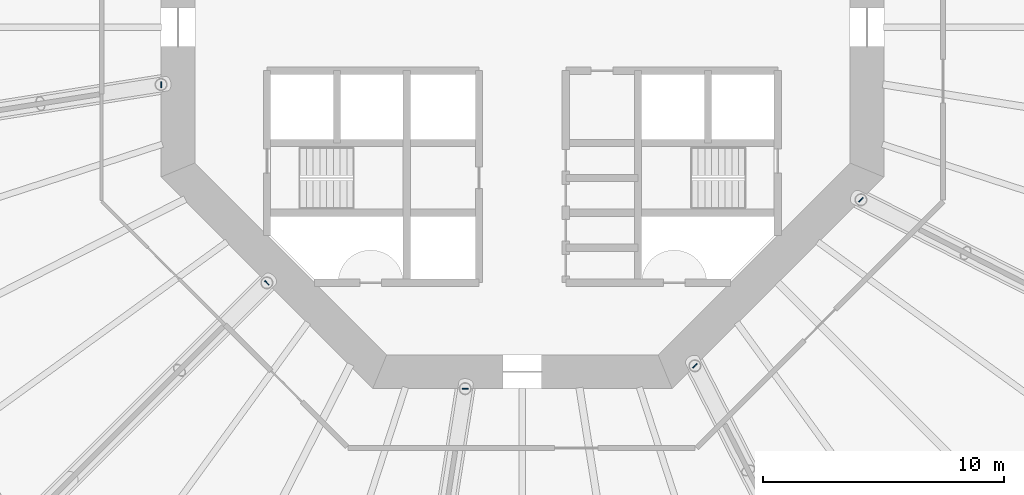
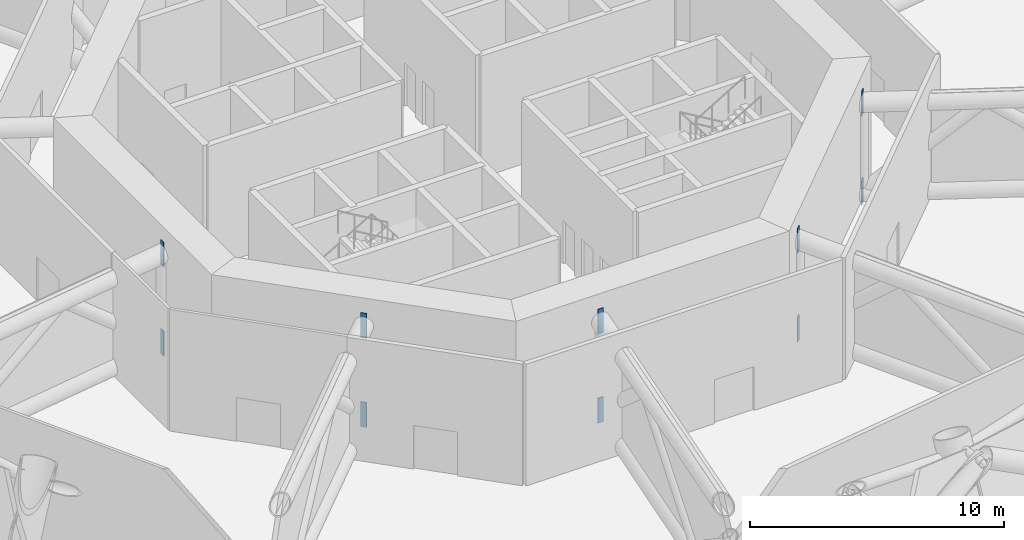
# One storey, part 11 of 14: 10 discrete accessories.
"""IFC4 building model written with IfcOpenShell, lengths in metres."""

from ifc_helpers import new_model, si_unit, direction, frame, origin, origin_2d, place, context, subcontext, project, spatial, rectangle, extrude, material, element, save


model = new_model("IFC4")

# Units and contexts
model_context = context("Model", 3, precision=1e-05, world=origin(), true_north=direction((0.0, 1.0)))
body_context = subcontext(model_context, "Body", "Model", "MODEL_VIEW")
ifc_project = project(units=[si_unit("LENGTHUNIT", "METRE"), si_unit("AREAUNIT", "SQUARE_METRE"), si_unit("VOLUMEUNIT", "CUBIC_METRE"), si_unit("PLANEANGLEUNIT", "RADIAN"), si_unit("MASSUNIT", "GRAM", prefix="KILO")], contexts=[model_context])

# Site, building, storey
site_placement = place(None, origin())
site = spatial("IfcSite", under=ifc_project, at=site_placement, CompositionType="ELEMENT")
building_placement = place(site_placement, origin())
building = spatial("IfcBuilding", under=site, at=building_placement, Name="Entoto Ring Tower", CompositionType="ELEMENT")
storey_placement = place(building_placement, frame((0.0, 0.0, 74.0)))
storey = spatial("IfcBuildingStorey", under=building, at=storey_placement, Name="L16", CompositionType="ELEMENT", Elevation=74.0)

# Discrete accessories
ifc_material = material(Name="Steel S355", Category="steel")
for number, where, z_axis, x_axis, name in (
    (1, (75.0, 77.624267578125, -0.193359375), (0.0, 0.0, 1.0), (-1.0, 0.0, 0.0), "Embedded plate L16 bottom 06"),
    (2, (75.0, 77.624267578125, 4.09033203125), (0.0, 0.0, 1.0), (-1.0, 0.0, 0.0), "Embedded plate L16 top 06"),
    (3, (79.393310546875, 69.393310546875, -0.193359375), (0.0, 0.0, 1.0), (-0.707106781187, -0.707106781187, 0.0), "Embedded plate L16 bottom 07"),
    (4, (79.393310546875, 69.393310546875, 4.09033203125), (0.0, 0.0, 1.0), (-0.707106781187, -0.707106781187, 0.0), "Embedded plate L16 top 07"),
    (5, (87.624267578125, 65.0, -0.193359375), (0.0, 0.0, 1.0), (0.0, -1.0, 0.0), "Embedded plate L16 bottom 08"),
    (6, (87.624267578125, 65.0, 4.09033203125), (0.0, 0.0, 1.0), (0.0, -1.0, 0.0), "Embedded plate L16 top 08"),
    (7, (97.160400390625, 65.947021484375, -0.193359375), (0.0, 0.0, 1.0), (0.707106781187, -0.707106781187, 0.0), "Embedded plate L16 bottom 09"),
    (8, (97.160400390625, 65.947021484375, 4.09033203125), (0.0, 0.0, 1.0), (0.707106781187, -0.707106781187, 0.0), "Embedded plate L16 top 09"),
    (9, (104.052978515625, 72.839599609375, -0.193359375), (0.0, 0.0, 1.0), (0.707106781187, -0.707106781187, 0.0), "Embedded plate L16 bottom 10"),
    (10, (104.052978515625, 72.839599609375, 4.09033203125), (0.0, 0.0, 1.0), (0.707106781187, -0.707106781187, 0.0), "Embedded plate L16 top 10"),
):
    element("IfcDiscreteAccessory", number, at=place(storey_placement, frame(where, z_axis=z_axis, x_axis=x_axis)), inside=storey, material=ifc_material, Name=name, PredefinedType="ANCHORPLATE", context=body_context, shape_type="SweptSolid", body=[
        extrude(rectangle(XDim=0.0400390625, YDim=0.25, at=origin_2d()), origin(), (0.0, 0.0, 1.0), 1.199951171875),
    ])

save(model, "model.ifc")
